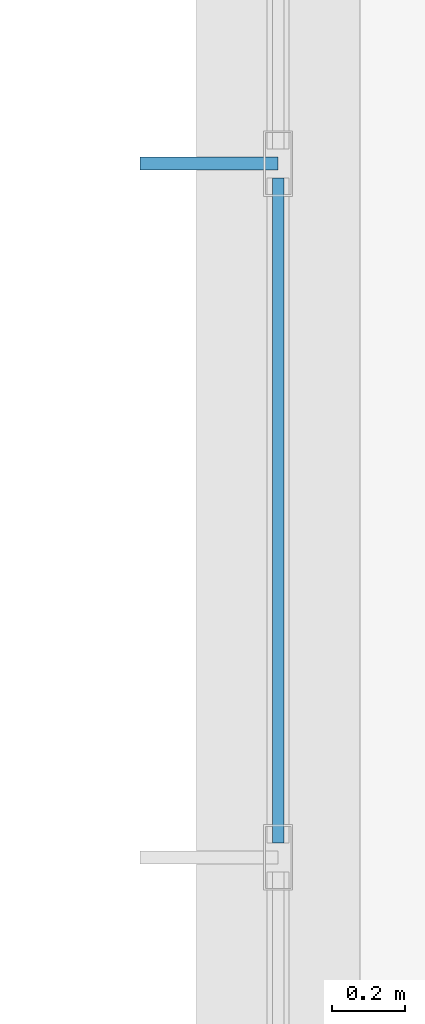
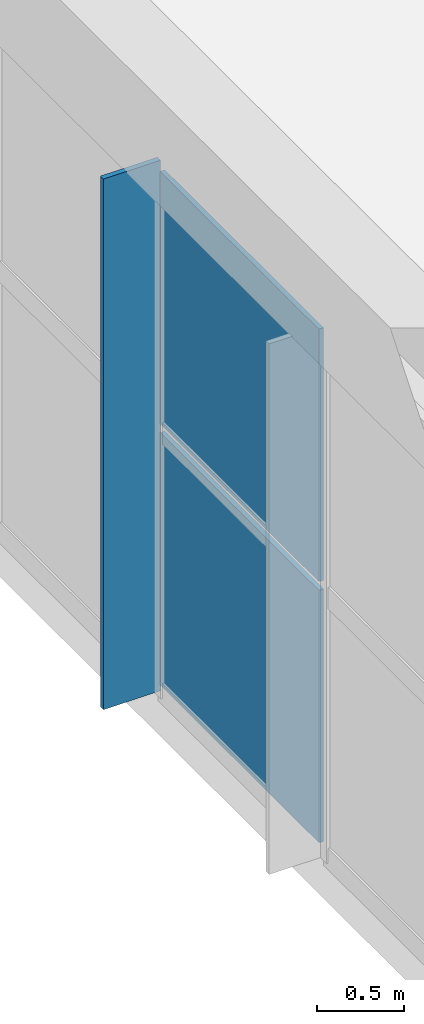
# One storey, part 127 of 167: 3 plates, 1 element without a shape of its own.
"""IFC4 building model written with IfcOpenShell, lengths in metres."""

from ifc_helpers import new_model, si_unit, direction, frame, origin, origin_2d, place, context, subcontext, project, spatial, polyline, rectangle, outline, extrude, material, layer, layer_set, type_object, element, aggregate, save


model = new_model("IFC4")

# Units and contexts
model_context = context("Model", 3, precision=1e-05, world=origin(), true_north=direction((0.0, 1.0)))
body_context = subcontext(model_context, "Body", "Model", "MODEL_VIEW")
ifc_project = project(units=[si_unit("LENGTHUNIT", "METRE"), si_unit("AREAUNIT", "SQUARE_METRE"), si_unit("VOLUMEUNIT", "CUBIC_METRE"), si_unit("PLANEANGLEUNIT", "RADIAN"), si_unit("MASSUNIT", "GRAM", prefix="KILO")], contexts=[model_context])

# Site, building, storey
site_placement = place(None, origin())
site = spatial("IfcSite", under=ifc_project, at=site_placement, CompositionType="ELEMENT")
building_placement = place(site_placement, origin())
building = spatial("IfcBuilding", under=site, at=building_placement, Name="Zizhar Promenade General Hospital", CompositionType="ELEMENT")
storey_placement = place(building_placement, frame((0.0, 0.0, 9.60009765625)))
storey = spatial("IfcBuildingStorey", under=building, at=storey_placement, Name="L02", CompositionType="ELEMENT", Elevation=9.60009765625)

# Curtain wall, plates
ifc_material_1 = material(Name="Anodised aluminium 6063-T6 and low-E glass", Category="aluminium")
ifc_layer_1 = layer(ifc_material_1, 0.159912109375)
ifc_layer_set_1 = layer_set([ifc_layer_1], Name="Anodised aluminium 6063-T6 and low-E glass")
curtain_wall_type = type_object("IfcCurtainWallType", Name="CW-ED-FRONT", PredefinedType="NOTDEFINED", material=ifc_layer_set_1)
curtain_wall_placement = place(storey_placement, origin())
curtain_wall = element("IfcCurtainWall", 1, at=curtain_wall_placement, inside=storey, type_object=curtain_wall_type, Name="West Diagnostic Arm Glazed Curtain Wall L02-W3", PredefinedType="NOTDEFINED")
ifc_material_2 = material(Name="Low-E solar-control glass", Category="glass")
ifc_layer_2 = layer(ifc_material_2, 0.031982421875)
ifc_layer_set_2 = layer_set([ifc_layer_2], Name="Low-E solar-control glass")
plate_type_1 = type_object("IfcPlateType", Name="CWP-GLZ-32", PredefinedType="CURTAIN_PANEL", material=ifc_layer_set_2)
plate_1_placement = place(storey_placement, frame((0.0, 30.35498046875, 0.06005859375), z_axis=(0.0, 0.0, 1.0), x_axis=(0.0, 1.0, 0.0)))
plate_1 = element("IfcPlate", 2, at=plate_1_placement, type_object=plate_type_1, Name="CW-06 panel 3.1", PredefinedType="CURTAIN_PANEL", context=body_context, shape_type="SweptSolid", body=[
    extrude(rectangle(XDim=1.830078125, YDim=0.031982421875, at=origin_2d()), origin(), (0.0, 0.0, 1.0), 1.77490234375),
])
plate_2_placement = place(storey_placement, frame((0.0, 30.35498046875, 1.89501953125), z_axis=(0.0, 0.0, 1.0), x_axis=(0.0, 1.0, 0.0)))
plate_2 = element("IfcPlate", 3, at=plate_2_placement, type_object=plate_type_1, Name="CW-06 panel 3.2", PredefinedType="CURTAIN_PANEL", context=body_context, shape_type="SweptSolid", body=[
    extrude(rectangle(XDim=1.830078125, YDim=0.031982421875, at=origin_2d()), origin(), (0.0, 0.0, 1.0), 1.77490234375),
])
aggregate(curtain_wall, [plate_1, plate_2])

# Plate
ifc_material_3 = material(Name="Anodised aluminium 6063-T6", Category="aluminium")
ifc_layer_3 = layer(ifc_material_3, 0.035888671875)
ifc_layer_set_3 = layer_set([ifc_layer_3], Name="Anodised aluminium 6063-T6")
plate_type_2 = type_object("IfcPlateType", Name="FIN-ALU-380", PredefinedType="USERDEFINED", material=ifc_layer_set_3)
plate_3_placement = place(storey_placement, origin())
element("IfcPlate", 4, at=plate_3_placement, inside=storey, type_object=plate_type_2, Name="West Diagnostic Arm Glazed Curtain Wall L02-W3 Solar Fin 3", ObjectType="SOLAR_SHADE", PredefinedType="USERDEFINED", context=body_context, shape_type="SweptSolid", body=[
    extrude(outline(polyline([(0.0, 31.2919921875), (0.0, 31.327880859375), (-0.3798828125, 31.327880859375), (-0.3798828125, 31.2919921875), (0.0, 31.2919921875)])), origin(), (0.0, 0.0, 1.0), 3.72998046875),
])

save(model, "model.ifc")
